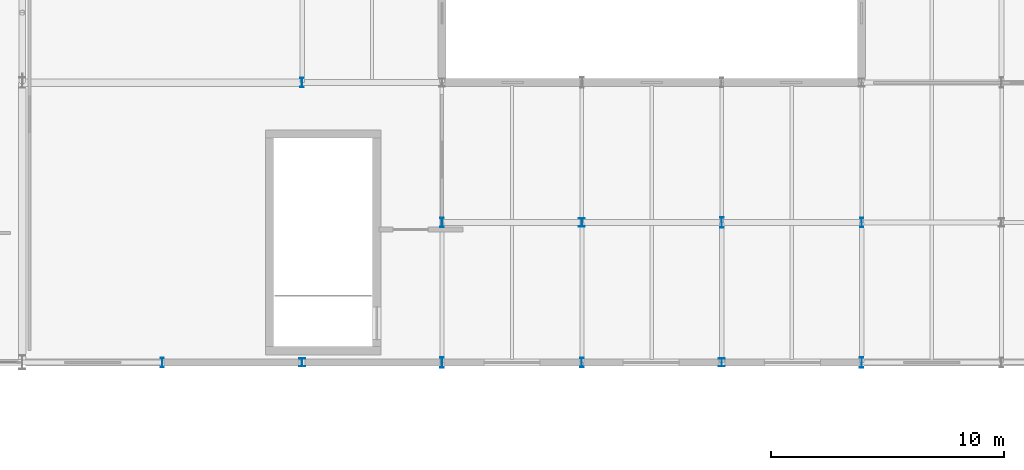
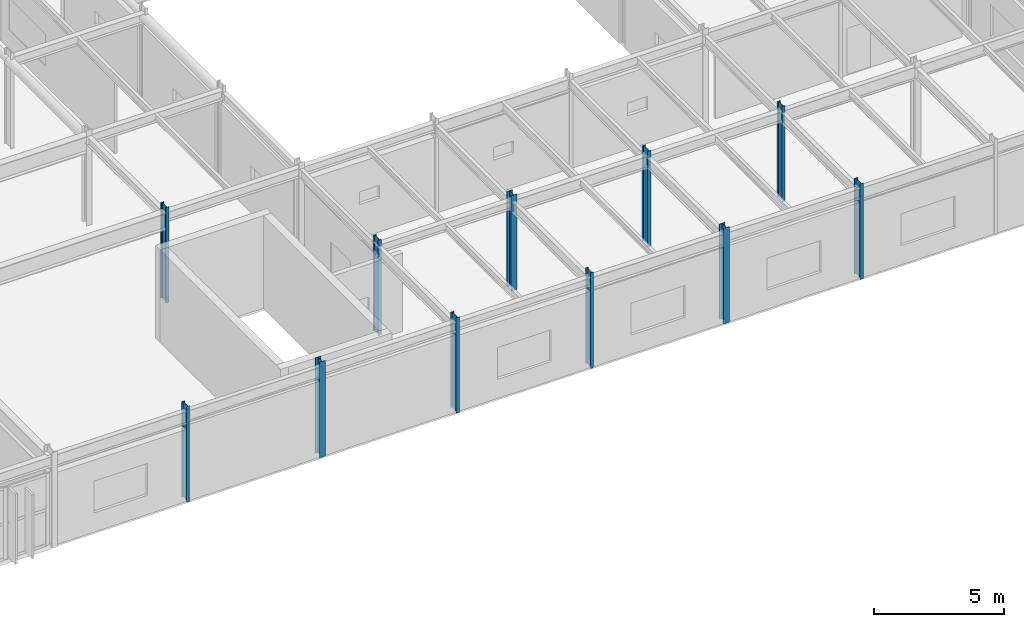
# One storey, part 14 of 84: 11 columns.
"""IFC4 building model written with IfcOpenShell, lengths in metres."""

from ifc_helpers import new_model, si_unit, direction, frame, origin, origin_2d, place, context, subcontext, project, spatial, i_section, extrude, material, material_profile, profile_set, type_object, element, save


model = new_model("IFC4")

# Units and contexts
model_context = context("Model", 3, precision=1e-05, world=origin(), true_north=direction((0.0, 1.0)))
body_context = subcontext(model_context, "Body", "Model", "MODEL_VIEW")
ifc_project = project(units=[si_unit("LENGTHUNIT", "METRE"), si_unit("AREAUNIT", "SQUARE_METRE"), si_unit("VOLUMEUNIT", "CUBIC_METRE"), si_unit("PLANEANGLEUNIT", "RADIAN"), si_unit("MASSUNIT", "GRAM", prefix="KILO")], contexts=[model_context])

# Site, building, storey
site_placement = place(None, origin())
site = spatial("IfcSite", under=ifc_project, at=site_placement, CompositionType="ELEMENT")
building_placement = place(site_placement, origin())
building = spatial("IfcBuilding", under=site, at=building_placement, Name="Varnakota Square Police Headquarters", CompositionType="ELEMENT")
storey_placement = place(building_placement, frame((0.0, 0.0, 13.5)))
storey = spatial("IfcBuildingStorey", under=building, at=storey_placement, Name="L03", CompositionType="ELEMENT", Elevation=13.5)

# Columns
ifc_material = material(Name="Steel IS 2062 Grade 350", Category="steel")
ifc_material_profile_1 = material_profile(ifc_material, i_section(OverallWidth=0.25, OverallDepth=0.35009765625, WebThickness=0.010009765625, FlangeThickness=0.01171875, FilletRadius=0.011962890625, at=origin_2d()), Name="ISHB 350")
ifc_profile_set_1 = profile_set([ifc_material_profile_1], Name="Steel IS 2062 Grade 350")
column_type_1 = type_object("IfcColumnType", Name="COL-ISHB350", PredefinedType="COLUMN", material=ifc_profile_set_1)
for number, where, z_axis, x_axis, name in (
    (1, (108.0, 69.0, 0.0), (0.0, 0.0, 1.0), (1.0, 0.0, 0.0), "Column X1080-Y0690 L03"),
    (2, (120.0, 75.0, 0.0), (0.0, 0.0, 1.0), (1.0, 0.0, 0.0), "Column X1200-Y0750 L03"),
    (3, (126.0, 69.0, 0.0), (0.0, 0.0, 1.0), (1.0, 0.0, 0.0), "Column X1260-Y0690 L03"),
):
    element("IfcColumn", number, at=place(storey_placement, frame(where, z_axis=z_axis, x_axis=x_axis)), inside=storey, type_object=column_type_1, Name=name, PredefinedType="COLUMN", context=body_context, shape_type="SweptSolid", body=[
        extrude(i_section(OverallWidth=0.25, OverallDepth=0.35009765625, WebThickness=0.010009765625, FlangeThickness=0.01171875, FilletRadius=0.011962890625, at=origin_2d()), origin(), (0.0, 0.0, 1.0), 4.5),
    ])
ifc_material_profile_2 = material_profile(ifc_material, i_section(OverallWidth=0.139892578125, OverallDepth=0.39990234375, WebThickness=0.0087890625, FlangeThickness=0.01611328125, FilletRadius=0.013916015625, at=origin_2d()), Name="ISMB 400")
ifc_profile_set_2 = profile_set([ifc_material_profile_2], Name="Steel IS 2062 Grade 350")
column_type_2 = type_object("IfcColumnType", Name="COL-ISMB400", PredefinedType="COLUMN", material=ifc_profile_set_2)
for number, where, z_axis, x_axis, name in (
    (4, (102.0, 69.0, 0.0), (0.0, 0.0, 1.0), (1.0, 0.0, 0.0), "Column X1020-Y0690 L03"),
    (5, (108.0, 81.0, 0.0), (0.0, 0.0, 1.0), (1.0, 0.0, 0.0), "Column X1080-Y0810 L03"),
    (6, (114.0, 75.0, 0.0), (0.0, 0.0, 1.0), (1.0, 0.0, 0.0), "Column X1140-Y0750 L03"),
    (7, (120.0, 69.0, 0.0), (0.0, 0.0, 1.0), (1.0, 0.0, 0.0), "Column X1200-Y0690 L03"),
    (8, (132.0, 75.0, 0.0), (0.0, 0.0, 1.0), (1.0, 0.0, 0.0), "Column X1320-Y0750 L03"),
):
    element("IfcColumn", number, at=place(storey_placement, frame(where, z_axis=z_axis, x_axis=x_axis)), inside=storey, type_object=column_type_2, Name=name, PredefinedType="COLUMN", context=body_context, shape_type="SweptSolid", body=[
        extrude(i_section(OverallWidth=0.139892578125, OverallDepth=0.39990234375, WebThickness=0.0087890625, FlangeThickness=0.01611328125, FilletRadius=0.013916015625, at=origin_2d()), origin(), (0.0, 0.0, 1.0), 4.5),
    ])
ifc_material_profile_3 = material_profile(ifc_material, i_section(OverallWidth=0.14990234375, OverallDepth=0.449951171875, WebThickness=0.009521484375, FlangeThickness=0.017333984375, FilletRadius=0.014892578125, at=origin_2d()), Name="ISMB 450")
ifc_profile_set_3 = profile_set([ifc_material_profile_3], Name="Steel IS 2062 Grade 350")
column_type_3 = type_object("IfcColumnType", Name="COL-ISMB450", PredefinedType="COLUMN", material=ifc_profile_set_3)
for number, where, z_axis, x_axis, name in (
    (9, (114.0, 69.0, 0.0), (0.0, 0.0, 1.0), (1.0, 0.0, 0.0), "Column X1140-Y0690 L03"),
    (10, (126.0, 75.0, 0.0), (0.0, 0.0, 1.0), (1.0, 0.0, 0.0), "Column X1260-Y0750 L03"),
    (11, (132.0, 69.0, 0.0), (0.0, 0.0, 1.0), (1.0, 0.0, 0.0), "Column X1320-Y0690 L03"),
):
    element("IfcColumn", number, at=place(storey_placement, frame(where, z_axis=z_axis, x_axis=x_axis)), inside=storey, type_object=column_type_3, Name=name, PredefinedType="COLUMN", context=body_context, shape_type="SweptSolid", body=[
        extrude(i_section(OverallWidth=0.14990234375, OverallDepth=0.449951171875, WebThickness=0.009521484375, FlangeThickness=0.017333984375, FilletRadius=0.014892578125, at=origin_2d()), origin(), (0.0, 0.0, 1.0), 4.5),
    ])

save(model, "model.ifc")
